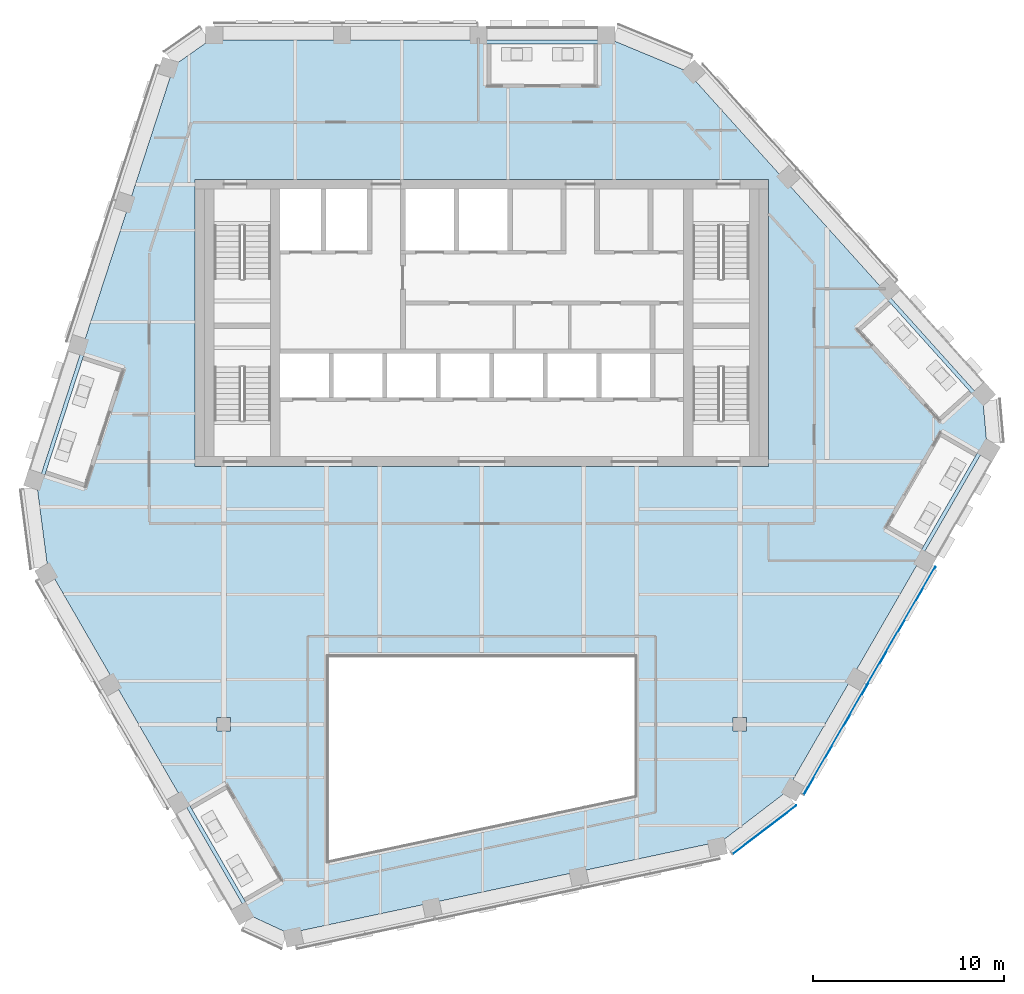
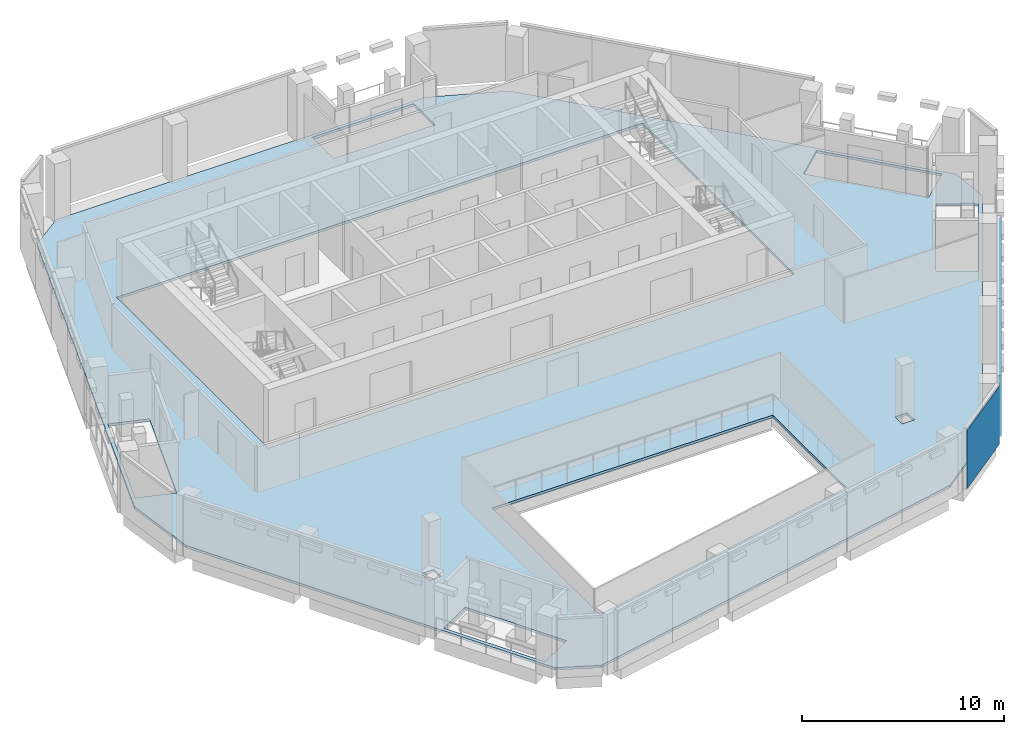
# One storey, part 11 of 22: 3 plates, 1 slab, 2 elements without a shape of their own.
"""IFC4 building model written with IfcOpenShell, lengths in metres."""

import ifcopenshell
import ifcopenshell.guid

model = None  # the IFC model being written
_history = None  # IfcOwnerHistory: only IFC2X3 demands one
_inside = {}  # id of a spatial element -> (the spatial element, [elements in it])
_under = {}  # id of a project, library or spatial element -> (it, [spatial elements below it])
_declared = {}  # id of a project -> (the project, [libraries it declares])
_typed = {}  # id of a type object -> (the type object, [elements of that type])
_made_of = {}  # id of a material, layer set ... -> (it, [elements and type objects made of it])


def new_model(schema):
    """Start an empty IFC model of exactly this schema.

    Asked for "IFC4X3", IfcOpenShell would pick the latest addendum, in which some entities
    have other attributes; the version numbers below select the first issue.
    IFC2X3 requires an IfcOwnerHistory on every rooted entity: one is made here for all.
    """
    global model, _history
    if schema == "IFC4X3":
        model = ifcopenshell.file(schema_version=(4, 3, 0, 0))
    else:
        model = ifcopenshell.file(schema=schema)
    _inside.clear()
    _under.clear()
    _declared.clear()
    _typed.clear()
    _made_of.clear()
    _history = None
    if model.schema == "IFC2X3":
        org = make("IfcOrganization", Name="unknown")
        user = make(
            "IfcPersonAndOrganization",
            ThePerson=make("IfcPerson", FamilyName="unknown"),
            TheOrganization=org,
        )
        app = make(
            "IfcApplication",
            ApplicationDeveloper=org,
            Version="unknown",
            ApplicationFullName="unknown",
            ApplicationIdentifier="unknown",
        )
        _history = make(
            "IfcOwnerHistory",
            OwningUser=user,
            OwningApplication=app,
            ChangeAction="ADDED",
            CreationDate=0,
        )
    return model


def make(cls, **values):
    """One entity of the class cls with the attributes given. An attribute that is None is left unset."""
    return model.create_entity(
        cls, **{name: value for name, value in values.items() if value is not None}
    )


def rooted(cls, **values):
    """An entity with a GlobalId (a new one), such as an element, a storey or a relation."""
    return make(cls, GlobalId=ifcopenshell.guid.new(), OwnerHistory=_history, **values)


def si_unit(unit_type, name, prefix=None):
    """IfcSIUnit, for example si_unit("LENGTHUNIT", "METRE", prefix="MILLI")."""
    return make("IfcSIUnit", UnitType=unit_type, Prefix=prefix, Name=name)


def assignment(units):
    """IfcUnitAssignment: the units of a project."""
    return None if units is None else make("IfcUnitAssignment", Units=units)


def point(xyz):
    """IfcCartesianPoint."""
    return None if xyz is None else make("IfcCartesianPoint", Coordinates=xyz)


def direction(xyz):
    """IfcDirection."""
    return None if xyz is None else make("IfcDirection", DirectionRatios=xyz)


def frame(location, z_axis=None, x_axis=None):
    """IfcAxis2Placement3D, a coordinate frame: its origin and axes. An axis left out is left unset."""
    return make(
        "IfcAxis2Placement3D",
        Location=point(location),
        Axis=direction(z_axis),
        RefDirection=direction(x_axis),
    )


def frame_2d(location, x_axis=None):
    """IfcAxis2Placement2D, a coordinate frame in the plane: its origin and x axis."""
    return make(
        "IfcAxis2Placement2D", Location=point(location), RefDirection=direction(x_axis)
    )


def origin():
    """The frame at (0, 0, 0) with its axes left unset."""
    return frame((0.0, 0.0, 0.0))


def origin_2d():
    """The frame at (0, 0) in the plane with its x axis left unset."""
    return frame_2d((0.0, 0.0))


def place(relative_to, where):
    """IfcLocalPlacement: puts the frame where relative to a parent placement (None: the world)."""
    return make(
        "IfcLocalPlacement", PlacementRelTo=relative_to, RelativePlacement=where
    )


def context(
    kind, dimensions, precision=None, world=None, true_north=None, identifier=None
):
    """IfcGeometricRepresentationContext, for example the 3D "Model" context."""
    return make(
        "IfcGeometricRepresentationContext",
        ContextIdentifier=identifier,
        ContextType=kind,
        CoordinateSpaceDimension=dimensions,
        Precision=precision,
        WorldCoordinateSystem=world,
        TrueNorth=true_north,
    )


def subcontext(parent, identifier, kind, view, scale=None):
    """IfcGeometricRepresentationSubContext, for example "Body" below "Model"."""
    return make(
        "IfcGeometricRepresentationSubContext",
        ContextIdentifier=identifier,
        ContextType=kind,
        ParentContext=parent,
        TargetScale=scale,
        TargetView=view,
    )


def project(units=None, contexts=None):
    """IfcProject with its units and contexts."""
    return rooted(
        "IfcProject",
        Name="project",
        RepresentationContexts=contexts,
        UnitsInContext=assignment(units),
    )


def spatial(cls, under=None, at=None, **own):
    """A site, building, storey or space (cls), placed at a placement, below another one or the project."""
    s = rooted(cls, ObjectPlacement=at, **own)
    if under is not None:
        _under.setdefault(under.id(), (under, []))[1].append(s)
    return s


def polyline(points):
    """IfcPolyline through the points."""
    return make("IfcPolyline", Points=[point(p) for p in points])


def profile(cls, at=None, kind="AREA", **sizes):
    """A parametric profile (cls). Its sizes go by their IFC names, for example OverallWidth=200.0."""
    return make(cls, ProfileType=kind, Position=at, **sizes)


def rectangle(**sizes):
    """IfcRectangleProfileDef."""
    return profile("IfcRectangleProfileDef", **sizes)


def outline(outer, holes=None, kind="AREA"):
    """IfcArbitraryClosedProfileDef: a profile drawn as a closed curve; with holes, ...WithVoids."""
    if holes is None:
        return make("IfcArbitraryClosedProfileDef", ProfileType=kind, OuterCurve=outer)
    return make(
        "IfcArbitraryProfileDefWithVoids",
        ProfileType=kind,
        OuterCurve=outer,
        InnerCurves=holes,
    )


def extrude(swept, where, along, depth):
    """IfcExtrudedAreaSolid: the profile swept, set in the frame where, extruded along a direction by depth."""
    return make(
        "IfcExtrudedAreaSolid",
        SweptArea=swept,
        Position=where,
        ExtrudedDirection=direction(along),
        Depth=depth,
    )


def shape(context_of_items, identifier, shape_type, items):
    """IfcShapeRepresentation: the items that make up one representation, for example the "Body"."""
    return make(
        "IfcShapeRepresentation",
        ContextOfItems=context_of_items,
        RepresentationIdentifier=identifier,
        RepresentationType=shape_type,
        Items=items,
    )


def material(Name=None, Category=None):
    """IfcMaterial."""
    return make("IfcMaterial", Name=Name, Category=Category)


def layer(
    of_material, thickness, ventilated=None, Name=None, Category=None, Priority=None
):
    """IfcMaterialLayer: one layer of a wall or slab, of a material (None: an air gap)."""
    return make(
        "IfcMaterialLayer",
        Material=of_material,
        LayerThickness=thickness,
        IsVentilated=ventilated,
        Name=Name,
        Category=Category,
        Priority=Priority,
    )


def layer_set(layers, Name=None):
    """IfcMaterialLayerSet."""
    return make("IfcMaterialLayerSet", MaterialLayers=layers, LayerSetName=Name)


def made_of(thing, what):
    """Note that an element or type object is made of a material, layer set ...; save() writes the relation."""
    if what is not None:
        _made_of.setdefault(what.id(), (what, []))[1].append(thing)
    return thing


def type_object(cls, material=None, **own):
    """A type object (cls), such as IfcWallType, which elements share."""
    return made_of(rooted(cls, **own), material)


def element(
    cls,
    number,
    at=None,
    inside=None,
    cuts=None,
    type_object=None,
    material=None,
    context=None,
    identifier="Body",
    shape_type=None,
    held_by="IfcProductDefinitionShape",
    body=None,
    shapes=None,
    **own,
):
    """One element of the class cls, such as IfcWall. Its Tag is "e" and its number.

    at: its placement. inside: the storey or other place that contains it. cuts: it is an
    opening in that element (IfcRelVoidsElement). A single representation is given by context,
    identifier, shape_type and body (its items); several are given by shapes. held_by: the class
    of the entity that holds the representations. save() writes the other relations.
    """
    e = rooted(cls, Tag="e%d" % number, ObjectPlacement=at, **own)
    if body is not None:
        shapes = [shape(context, identifier, shape_type, body)]
    if shapes is not None:
        e.Representation = make(held_by, Representations=shapes)
    if inside is not None:
        _inside.setdefault(inside.id(), (inside, []))[1].append(e)
    if cuts is not None:
        rooted(
            "IfcRelVoidsElement", RelatingBuildingElement=cuts, RelatedOpeningElement=e
        )
    if type_object is not None:
        _typed.setdefault(type_object.id(), (type_object, []))[1].append(e)
    return made_of(e, material)


def aggregate(whole, parts):
    """IfcRelAggregates: a whole, such as a stair, and the parts it consists of."""
    return rooted("IfcRelAggregates", RelatingObject=whole, RelatedObjects=parts)


def save(model, path):
    """Write the relations noted so far, then the file.

    IfcRelAggregates (storeys below a building ...), IfcRelContainedInSpatialStructure (elements
    in a storey), IfcRelDefinesByType, IfcRelAssociatesMaterial and IfcRelDeclares: one each for
    every whole, place, type object, material and project.
    """
    for whole, parts in _under.values():
        aggregate(whole, parts)
    for where, things in _inside.values():
        rooted(
            "IfcRelContainedInSpatialStructure",
            RelatedElements=things,
            RelatingStructure=where,
        )
    for kind, things in _typed.values():
        rooted("IfcRelDefinesByType", RelatedObjects=things, RelatingType=kind)
    for what, things in _made_of.values():
        rooted("IfcRelAssociatesMaterial", RelatedObjects=things, RelatingMaterial=what)
    for by, libraries in _declared.values():
        rooted("IfcRelDeclares", RelatingContext=by, RelatedDefinitions=libraries)
    model.write(path)


model = new_model("IFC4")

# Units and contexts
model_context = context("Model", 3, precision=1e-05, world=origin(), true_north=direction((0.0, 1.0)))
body_context = subcontext(model_context, "Body", "Model", "MODEL_VIEW")
ifc_project = project(units=[si_unit("LENGTHUNIT", "METRE"), si_unit("AREAUNIT", "SQUARE_METRE"), si_unit("VOLUMEUNIT", "CUBIC_METRE"), si_unit("PLANEANGLEUNIT", "RADIAN"), si_unit("MASSUNIT", "GRAM", prefix="KILO")], contexts=[model_context])

# Site, building, storey
site_placement = place(None, origin())
site = spatial("IfcSite", under=ifc_project, at=site_placement, CompositionType="ELEMENT")
building_placement = place(site_placement, origin())
building = spatial("IfcBuilding", under=site, at=building_placement, Name="Isthmus Gate Tower", CompositionType="ELEMENT")
storey_placement = place(building_placement, frame((0.0, 0.0, 264.60009765625)))
storey = spatial("IfcBuildingStorey", under=building, at=storey_placement, Name="L67", CompositionType="ELEMENT", Elevation=264.60009765625)

# Slab
ifc_material_1 = material(Name="Concrete f'c 40 MPa", Category="concrete")
ifc_layer_1 = layer(ifc_material_1, 0.14990234375)
ifc_layer_set_1 = layer_set([ifc_layer_1], Name="COMPOSITE FLOOR SLAB 150")
slab_type = type_object("IfcSlabType", Name="COMPOSITE FLOOR SLAB 150", PredefinedType="FLOOR", material=ifc_layer_set_1)
slab_placement = place(storey_placement, frame((0.0, 0.0, -0.150146484375)))
element("IfcSlab", 1, at=slab_placement, inside=storey, type_object=slab_type, Name="str-slab-L67-1", PredefinedType="FLOOR", context=body_context, shape_type="SweptSolid", body=[
    extrude(outline(polyline([(10.7080078125, 20.68310546875), (26.218017578125, 3.45751953125), (26.423583984375, 1.1669921875), (15.902587890625, -17.055908203125), (12.55810546875, -19.614990234375), (-10.11474609375, -24.434326171875), (-12.201171875, -23.467041015625), (-22.72216796875, -5.243896484375), (-23.26611328125, -1.068115234375), (-16.103515625, 20.976806640625), (-14.22265625, 22.300048828125), (6.819580078125, 22.300048828125), (10.7080078125, 20.68310546875)]), holes=[polyline([(-10.54833984375, -21.7294921875), (-13.440673828125, -16.719970703125), (-15.259521484375, -17.77001953125), (-12.3671875, -22.779541015625), (-10.54833984375, -21.7294921875)]), polyline([(8.0, -10.0), (-8.0, -10.0), (-8.0, -20.611083984375), (8.0, -17.210205078125), (8.0, -10.0)]), polyline([(-13.14990234375, -13.14990234375), (-13.85009765625, -13.14990234375), (-13.85009765625, -13.85009765625), (-13.14990234375, -13.85009765625), (-13.14990234375, -13.14990234375)]), polyline([(13.85009765625, -13.14990234375), (13.14990234375, -13.14990234375), (13.14990234375, -13.85009765625), (13.85009765625, -13.85009765625), (13.85009765625, -13.14990234375)]), polyline([(24.092529296875, 1.7294921875), (21.2001953125, -3.280029296875), (23.01904296875, -4.330078125), (25.9111328125, 0.6796875), (24.092529296875, 1.7294921875)]), polyline([(-20.849365234375, -1.072998046875), (-18.838623046875, 5.115478515625), (-20.8359375, 5.764404296875), (-22.8466796875, -0.424072265625), (-20.849365234375, -1.072998046875)]), polyline([(19.708740234375, 7.24951171875), (24.062744140625, 2.4140625), (25.623291015625, 3.819091796875), (21.269287109375, 8.65478515625), (19.708740234375, 7.24951171875)]), polyline([(15.0, 15.0), (-15.0, 15.0), (-15.0, 0.0), (15.0, 0.0), (15.0, 15.0)]), polyline([(0.27490234375, 22.10009765625), (0.27490234375, 20.0), (6.059326171875, 20.0), (6.059326171875, 22.10009765625), (0.27490234375, 22.10009765625)])]), origin(), (0.0, 0.0, 1.0), 0.150146484375),
])

# Curtain wall, plate
ifc_material_2 = material(Name="Aluminium, pale champagne anodised", Category="aluminium")
ifc_layer_2 = layer(ifc_material_2, 0.199951171875)
ifc_layer_set_2 = layer_set([ifc_layer_2], Name="CW-1 UNITISED CURTAIN WALL 200 DEEP")
curtain_wall_type = type_object("IfcCurtainWallType", Name="CW-1 UNITISED CURTAIN WALL 200 DEEP", PredefinedType="NOTDEFINED", material=ifc_layer_set_2)
curtain_wall_1_placement = place(storey_placement, origin())
curtain_wall_1 = element("IfcCurtainWall", 2, at=curtain_wall_1_placement, inside=storey, type_object=curtain_wall_type, Name="CW-1 S-SE L67", PredefinedType="NOTDEFINED")
ifc_material_3 = material(Name="Laminated low-iron glass, pale blue tint", Category="glass")
ifc_layer_3 = layer(ifc_material_3, 0.031982421875)
ifc_layer_set_3 = layer_set([ifc_layer_3], Name="CW-1 CLEAR GLASS LITE 32")
plate_type = type_object("IfcPlateType", Name="CW-1 CLEAR GLASS LITE 32", PredefinedType="CURTAIN_PANEL", material=ifc_layer_set_3)
plate_1_placement = place(storey_placement, frame((14.791259765625, -19.01953125, 0.0), z_axis=(0.0, 0.0, 1.0), x_axis=(0.794188594387, 0.607671355706, 0.0)))
plate_1 = element("IfcPlate", 3, at=plate_1_placement, type_object=plate_type, Name="CW-1 glass lite", PredefinedType="CURTAIN_PANEL", context=body_context, shape_type="SweptSolid", body=[
    extrude(rectangle(XDim=4.181396484375, YDim=0.031982421875, at=origin_2d()), origin(), (0.0, 0.0, 1.0), 3.52001953125),
])
aggregate(curtain_wall_1, [plate_1])

# Curtain wall, plates
curtain_wall_2_placement = place(storey_placement, origin())
curtain_wall_2 = element("IfcCurtainWall", 4, at=curtain_wall_2_placement, inside=storey, type_object=curtain_wall_type, Name="CW-1 SE L67", PredefinedType="NOTDEFINED")
plate_2_placement = place(storey_placement, frame((18.50927734375, -14.308837890625, 0.0), z_axis=(0.0, 0.0, 1.0), x_axis=(0.5, 0.866025403784, 0.0)))
plate_2 = element("IfcPlate", 5, at=plate_2_placement, type_object=plate_type, Name="CW-1 glass lite", PredefinedType="CURTAIN_PANEL", context=body_context, shape_type="SweptSolid", body=[
    extrude(rectangle(XDim=6.62451171875, YDim=0.031982421875, at=origin_2d()), origin(), (0.0, 0.0, 1.0), 3.52001953125),
])
plate_3_placement = place(storey_placement, frame((21.94921875, -8.35107421875, 0.0), z_axis=(0.0, 0.0, 1.0), x_axis=(0.5, 0.866025403784, 0.0)))
plate_3 = element("IfcPlate", 6, at=plate_3_placement, type_object=plate_type, Name="CW-1 glass lite", PredefinedType="CURTAIN_PANEL", context=body_context, shape_type="SweptSolid", body=[
    extrude(rectangle(XDim=7.134521484375, YDim=0.031982421875, at=origin_2d()), origin(), (0.0, 0.0, 1.0), 3.52001953125),
])
aggregate(curtain_wall_2, [plate_2, plate_3])

save(model, "model.ifc")
